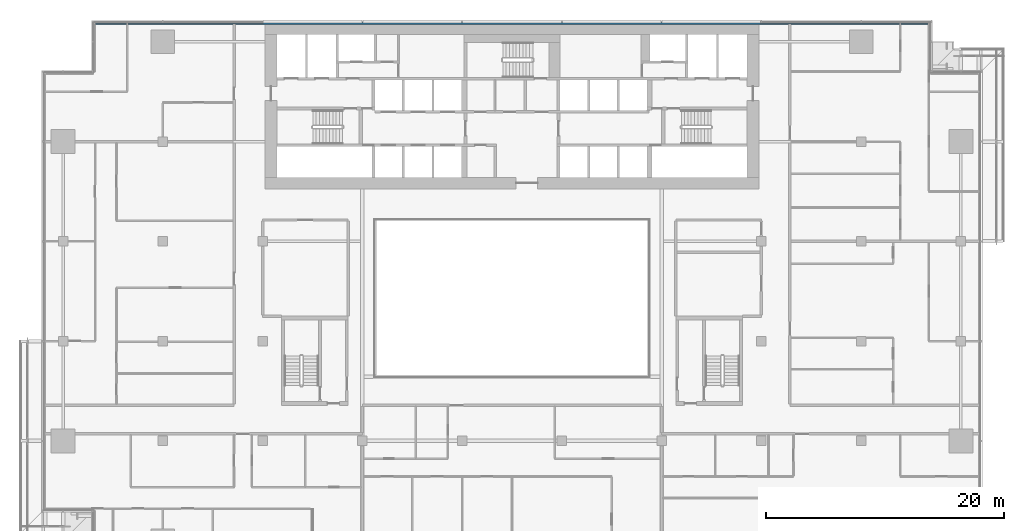
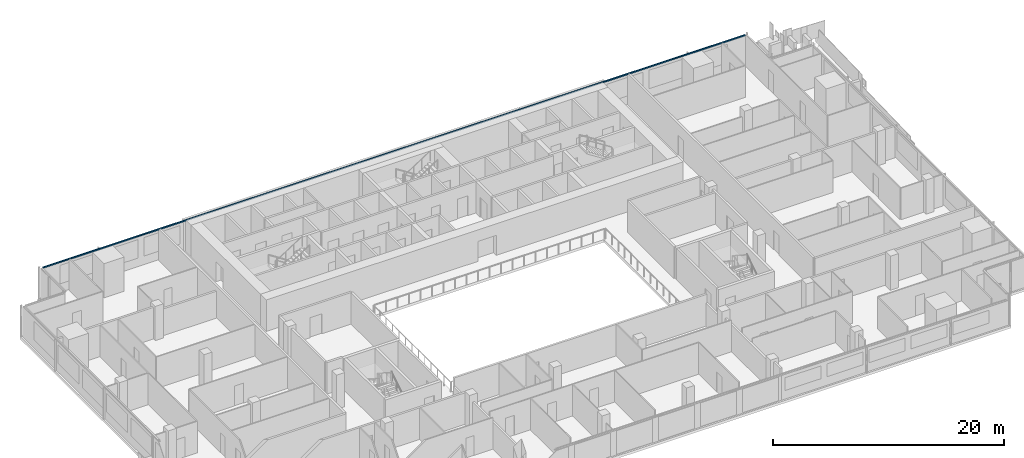
# One storey, part 8 of 27: 1 member, 1 element without a shape of its own.
"""IFC4 building model written with IfcOpenShell, lengths in metres."""

from ifc_helpers import new_model, si_unit, direction, frame, origin, origin_2d, place, context, subcontext, project, spatial, rectangle, extrude, material, material_profile, profile_set, type_object, element, aggregate, save


model = new_model("IFC4")

# Units and contexts
model_context = context("Model", 3, precision=1e-05, world=origin(), true_north=direction((0.0, 1.0)))
body_context = subcontext(model_context, "Body", "Model", "MODEL_VIEW")
ifc_project = project(units=[si_unit("LENGTHUNIT", "METRE"), si_unit("AREAUNIT", "SQUARE_METRE"), si_unit("VOLUMEUNIT", "CUBIC_METRE"), si_unit("PLANEANGLEUNIT", "RADIAN"), si_unit("MASSUNIT", "GRAM", prefix="KILO")], contexts=[model_context])

# Site, building, storey
site_placement = place(None, origin())
site = spatial("IfcSite", under=ifc_project, at=site_placement, CompositionType="ELEMENT")
building_placement = place(site_placement, origin())
building = spatial("IfcBuilding", under=site, at=building_placement, Name="Saffron Gate Tower", CompositionType="ELEMENT")
storey_placement = place(building_placement, frame((0.0, 0.0, 134.85009765625)))
storey = spatial("IfcBuildingStorey", under=building, at=storey_placement, Name="L32", CompositionType="ELEMENT", Elevation=134.85009765625)

# Curtain wall, member
ifc_material = material(Name="Aluminium, bronze anodised", Category="aluminium")
curtain_wall_type = type_object("IfcCurtainWallType", Name="CWS3 curtain wall rear facade", PredefinedType="NOTDEFINED", material=ifc_material)
curtain_wall_placement = place(storey_placement, origin())
curtain_wall = element("IfcCurtainWall", 1, at=curtain_wall_placement, inside=storey, type_object=curtain_wall_type, Name="CWS3 run 7", PredefinedType="NOTDEFINED")
ifc_material_profile = material_profile(ifc_material, rectangle(XDim=0.1201171875, YDim=0.1201171875, at=origin_2d()))
ifc_profile_set = profile_set([ifc_material_profile], Name="Aluminium, bronze anodised")
member_type = type_object("IfcMemberType", Name="CWS3 head transom", PredefinedType="USERDEFINED", material=ifc_profile_set)
member_placement = place(storey_placement, frame((122.632080078125, 75.35205078125, 3.260009765625), z_axis=(-1.0, 0.0, 0.0), x_axis=(0.0, -1.0, 0.0)))
member = element("IfcMember", 2, at=member_placement, type_object=member_type, Name="CWS3 head transom", ObjectType="TRANSOM", PredefinedType="USERDEFINED", context=body_context, shape_type="SweptSolid", body=[
    extrude(rectangle(XDim=0.1201171875, YDim=0.1201171875, at=origin_2d()), origin(), (0.0, 0.0, 1.0), 70.06396484375),
])
aggregate(curtain_wall, [member])

save(model, "model.ifc")
